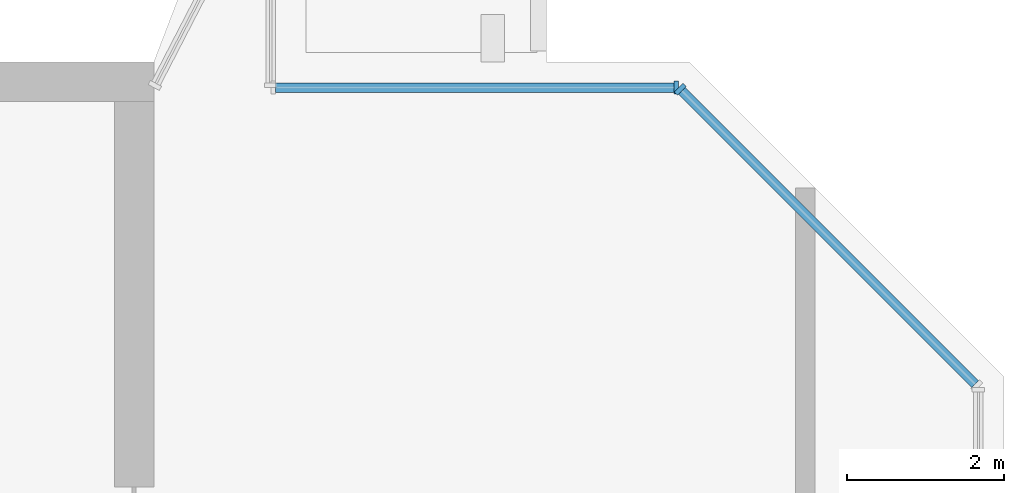
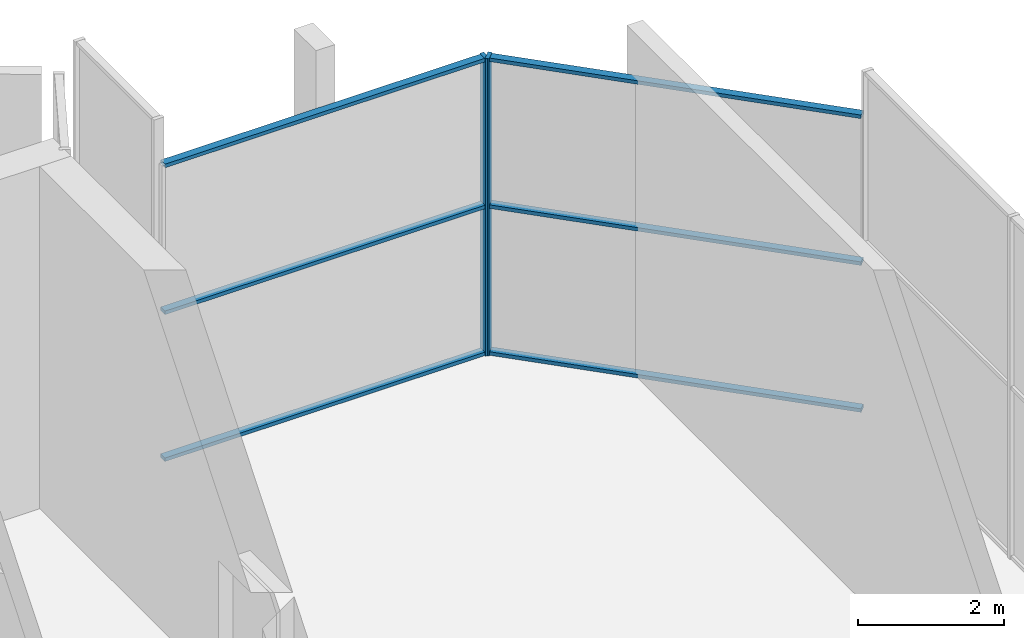
# One storey, part 9 of 17: 8 members, 2 elements without a shape of their own.
"""IFC4 building model written with IfcOpenShell, lengths in metres."""

from ifc_helpers import new_model, si_unit, direction, frame, origin, origin_2d, place, context, subcontext, project, spatial, rectangle, extrude, source, transform, mapped, material, material_profile, profile_set, type_object, element, aggregate, save


model = new_model("IFC4")

# Units and contexts
model_context = context("Model", 3, precision=1e-05, world=origin(), true_north=direction((0.0, 1.0)))
body_context = subcontext(model_context, "Body", "Model", "MODEL_VIEW")
ifc_project = project(units=[si_unit("LENGTHUNIT", "METRE"), si_unit("AREAUNIT", "SQUARE_METRE"), si_unit("VOLUMEUNIT", "CUBIC_METRE"), si_unit("PLANEANGLEUNIT", "RADIAN"), si_unit("MASSUNIT", "GRAM", prefix="KILO")], contexts=[model_context])

# Site, building, storey
site_placement = place(None, origin())
site = spatial("IfcSite", under=ifc_project, at=site_placement, CompositionType="ELEMENT")
building_placement = place(site_placement, origin())
building = spatial("IfcBuilding", under=site, at=building_placement, Name="Vanashikhar Sky Hotel", CompositionType="ELEMENT")
storey_placement = place(building_placement, frame((0.0, 0.0, 323.699951171875)))
storey = spatial("IfcBuildingStorey", under=building, at=storey_placement, Name="L77", CompositionType="ELEMENT", Elevation=323.699951171875)

# Curtain wall, member
ifc_material_1 = material(Name="Glass", Category="glass")
curtain_wall_type = type_object("IfcCurtainWallType", Name="Sky restaurant glazing", PredefinedType="NOTDEFINED", material=ifc_material_1)
curtain_wall_1_placement = place(storey_placement, origin())
curtain_wall_1 = element("IfcCurtainWall", 1, at=curtain_wall_1_placement, inside=storey, type_object=curtain_wall_type, Name="Sky restaurant glazing", PredefinedType="NOTDEFINED")
ifc_material_2 = material(Name="Aluminium 6063-T6", Category="aluminium")
ifc_material_profile_1 = material_profile(ifc_material_2, rectangle(XDim=0.159912109375, YDim=0.06005859375, at=origin_2d()))
ifc_profile_set_1 = profile_set([ifc_material_profile_1], Name="Aluminium 6063-T6")
member_type_1 = type_object("IfcMemberType", Name="Sky restaurant mullion 60 x 160", PredefinedType="MULLION", material=ifc_profile_set_1)
shared_shape_1 = source(origin(), body_context, "Body", "SweptSolid", [
    extrude(rectangle(XDim=0.159912109375, YDim=0.06005859375, at=origin_2d()), origin(), (0.0, 0.0, 1.0), 4.969970703125),
])
member_1_placement = place(storey_placement, frame((82.28662109375, 41.65380859375, 0.0), z_axis=(0.0, 0.0, 1.0), x_axis=(-0.707106781187, -0.707106781187, 0.0)))
member_1 = element("IfcMember", 2, at=member_1_placement, type_object=member_type_1, Name="CW-5 mullion 2", PredefinedType="MULLION", context=body_context, shape_type="MappedRepresentation", body=[
    mapped(shared_shape_1, transform((0.0, 0.0, 0.0), scale=1.0)),
])

curtain_wall_2_placement = place(storey_placement, origin())
curtain_wall_2 = element("IfcCurtainWall", 3, at=curtain_wall_2_placement, inside=storey, type_object=curtain_wall_type, Name="Sky restaurant glazing", PredefinedType="NOTDEFINED")
member_2_placement = place(storey_placement, frame((82.2353515625, 41.675048828125, 0.0), z_axis=(0.0, 0.0, 1.0), x_axis=(0.0, -1.0, 0.0)))
member_2 = element("IfcMember", 4, at=member_2_placement, type_object=member_type_1, Name="CW-5 mullion 1", PredefinedType="MULLION", context=body_context, shape_type="MappedRepresentation", body=[
    mapped(shared_shape_1, transform((0.0, 0.0, 0.0), scale=1.0)),
])

# Member
ifc_material_profile_2 = material_profile(ifc_material_2, rectangle(XDim=0.1201171875, YDim=0.06005859375, at=origin_2d()))
ifc_profile_set_2 = profile_set([ifc_material_profile_2], Name="Aluminium 6063-T6")
member_type_2 = type_object("IfcMemberType", Name="Sky restaurant transom 60 x 120", PredefinedType="USERDEFINED", material=ifc_profile_set_2)
shared_shape_2 = source(origin(), body_context, "Body", "SweptSolid", [
    extrude(rectangle(XDim=0.1201171875, YDim=0.06005859375, at=origin_2d()), origin(), (0.0, 0.0, 1.0), 5.267578125),
])
member_3_placement = place(storey_placement, frame((86.032470703125, 37.90771484375, 0.030029296875), z_axis=(-0.707083606855, 0.707129954758, 0.0), x_axis=(-0.707129954758, -0.707083606855, 0.0)))
member_3 = element("IfcMember", 5, at=member_3_placement, type_object=member_type_2, Name="CW-5 transom 1.1", ObjectType="TRANSOM", PredefinedType="USERDEFINED", context=body_context, shape_type="MappedRepresentation", body=[
    mapped(shared_shape_2, transform((0.0, 0.0, 0.0), scale=1.0)),
])

member_4_placement = place(storey_placement, frame((86.032470703125, 37.90771484375, 2.485107421875), z_axis=(-0.707083606855, 0.707129954758, 0.0), x_axis=(-0.707129954758, -0.707083606855, 0.0)))
member_4 = element("IfcMember", 6, at=member_4_placement, type_object=member_type_2, Name="CW-5 transom 1.2", ObjectType="TRANSOM", PredefinedType="USERDEFINED", context=body_context, shape_type="MappedRepresentation", body=[
    mapped(shared_shape_2, transform((0.0, 0.0, 0.0), scale=1.0)),
])

member_5_placement = place(storey_placement, frame((86.032470703125, 37.90771484375, 4.93994140625), z_axis=(-0.707083606855, 0.707129954758, 0.0), x_axis=(-0.707129954758, -0.707083606855, 0.0)))
member_5 = element("IfcMember", 7, at=member_5_placement, type_object=member_type_2, Name="CW-5 transom 1.3", ObjectType="TRANSOM", PredefinedType="USERDEFINED", context=body_context, shape_type="MappedRepresentation", body=[
    mapped(shared_shape_2, transform((0.0, 0.0, 0.0), scale=1.0)),
])

aggregate(curtain_wall_1, [member_1, member_3, member_4, member_5])

shared_shape_3 = source(origin(), body_context, "Body", "SweptSolid", [
    extrude(rectangle(XDim=0.1201171875, YDim=0.06005859375, at=origin_2d()), origin(), (0.0, 0.0, 1.0), 5.058349609375),
])
member_6_placement = place(storey_placement, frame((82.205322265625, 41.675048828125, 0.030029296875), z_axis=(-1.0, 0.0, 0.0), x_axis=(0.0, -1.0, 0.0)))
member_6 = element("IfcMember", 8, at=member_6_placement, type_object=member_type_2, Name="CW-5 transom 1.1", ObjectType="TRANSOM", PredefinedType="USERDEFINED", context=body_context, shape_type="MappedRepresentation", body=[
    mapped(shared_shape_3, transform((0.0, 0.0, 0.0), scale=1.0)),
])

member_7_placement = place(storey_placement, frame((82.205322265625, 41.675048828125, 2.485107421875), z_axis=(-1.0, 0.0, 0.0), x_axis=(0.0, -1.0, 0.0)))
member_7 = element("IfcMember", 9, at=member_7_placement, type_object=member_type_2, Name="CW-5 transom 1.2", ObjectType="TRANSOM", PredefinedType="USERDEFINED", context=body_context, shape_type="MappedRepresentation", body=[
    mapped(shared_shape_3, transform((0.0, 0.0, 0.0), scale=1.0)),
])

member_8_placement = place(storey_placement, frame((82.205322265625, 41.675048828125, 4.93994140625), z_axis=(-1.0, 0.0, 0.0), x_axis=(0.0, -1.0, 0.0)))
member_8 = element("IfcMember", 10, at=member_8_placement, type_object=member_type_2, Name="CW-5 transom 1.3", ObjectType="TRANSOM", PredefinedType="USERDEFINED", context=body_context, shape_type="MappedRepresentation", body=[
    mapped(shared_shape_3, transform((0.0, 0.0, 0.0), scale=1.0)),
])

aggregate(curtain_wall_2, [member_2, member_6, member_7, member_8])

save(model, "model.ifc")
